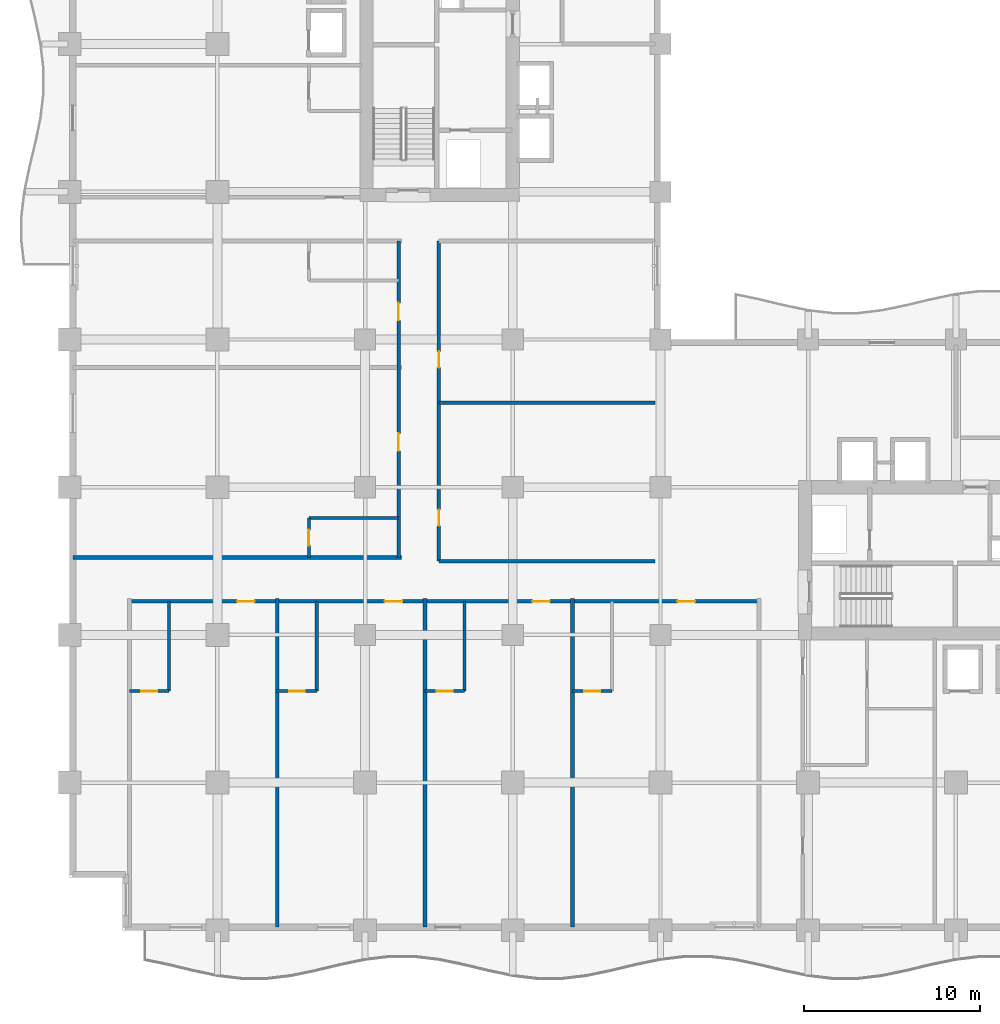
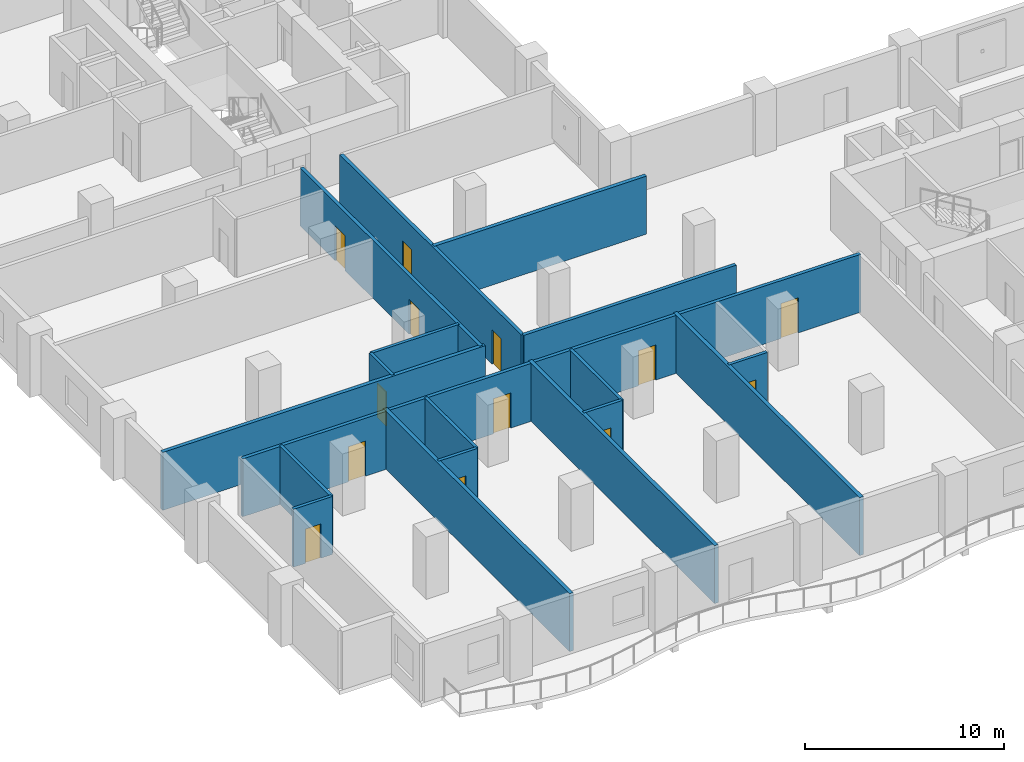
# One storey, part 4 of 18: 18 walls, 13 doors, 13 openings.
"""IFC4 building model written with IfcOpenShell, lengths in metres."""

from ifc_helpers import new_model, si_unit, direction, frame, frame_2d, origin, place, context, subcontext, project, spatial, rectangle, extrude, material, layer, layer_set, type_object, element, fill, save


model = new_model("IFC4")

# Units and contexts
model_context = context("Model", 3, precision=1e-05, world=origin(), true_north=direction((0.0, 1.0)))
body_context = subcontext(model_context, "Body", "Model", "MODEL_VIEW")
ifc_project = project(units=[si_unit("LENGTHUNIT", "METRE"), si_unit("AREAUNIT", "SQUARE_METRE"), si_unit("VOLUMEUNIT", "CUBIC_METRE"), si_unit("PLANEANGLEUNIT", "RADIAN"), si_unit("MASSUNIT", "GRAM", prefix="KILO")], contexts=[model_context])

# Site, building, storey
site_placement = place(None, origin())
site = spatial("IfcSite", under=ifc_project, at=site_placement, CompositionType="ELEMENT")
building_placement = place(site_placement, origin())
building = spatial("IfcBuilding", under=site, at=building_placement, Name="Koriwani Terraces Tower", CompositionType="ELEMENT")
storey_placement = place(building_placement, frame((0.0, 0.0, 107.60009765625)))
storey = spatial("IfcBuildingStorey", under=building, at=storey_placement, Name="L25", CompositionType="ELEMENT", Elevation=107.60009765625)

# Wall, openings, doors
ifc_material_1 = material(Name="Autoclaved Cellular Concrete Blockwork", Category="masonry")
ifc_layer_1 = layer(ifc_material_1, 0.199951171875, Name="Autoclaved Cellular Concrete Blockwork")
ifc_layer_set_1 = layer_set([ifc_layer_1], Name="Autoclaved Cellular Concrete Blockwork")
wall_type_1 = type_object("IfcWallType", Name="WALL_CORRIDOR_200", PredefinedType="PARTITIONING", material=ifc_layer_set_1)
wall_1_placement = place(storey_placement, frame((21.0, 21.0, 0.0), z_axis=(0.0, 0.0, 1.0), x_axis=(0.0, 1.0, 0.0)))
wall_1 = element("IfcWall", 1, at=wall_1_placement, inside=storey, type_object=wall_type_1, Name="L25 Interior Wall WIC2-W-L25", PredefinedType="PARTITIONING", context=body_context, shape_type="SweptSolid", body=[
    extrude(rectangle(XDim=18.199951171875, YDim=0.199951171875, at=frame_2d((9.10009765625, 0.0))), origin(), (0.0, 0.0, 1.0), 3.5498046875),
])
opening_1_placement = place(wall_1_placement, frame((2.0, 0.0, 0.0)))
opening_1 = element("IfcOpeningElement", 2, at=opening_1_placement, cuts=wall_1, Name="Opening D-06", PredefinedType="OPENING", context=body_context, shape_type="SweptSolid", body=[
    extrude(rectangle(XDim=0.919921875, YDim=2.10009765625, at=frame_2d((0.4599609375, 1.050048828125))), frame((0.0, 0.10986328125, 0.0), z_axis=(0.0, -1.0, 0.0), x_axis=(1.0, 0.0, 0.0)), (0.0, 0.0, 1.0), 0.219970703125),
])
opening_2_placement = place(wall_1_placement, frame((11.0, 0.0, 0.0)))
opening_2 = element("IfcOpeningElement", 3, at=opening_2_placement, cuts=wall_1, Name="Opening D-06", PredefinedType="OPENING", context=body_context, shape_type="SweptSolid", body=[
    extrude(rectangle(XDim=0.919921875, YDim=2.10009765625, at=frame_2d((0.4599609375, 1.050048828125))), frame((0.0, 0.10986328125, 0.0), z_axis=(0.0, -1.0, 0.0), x_axis=(1.0, 0.0, 0.0)), (0.0, 0.0, 1.0), 0.219970703125),
])
ifc_material_2 = material(Name="Architectural Oak Fire Door", Category="wood")
door_type_1 = type_object("IfcDoorType", Name="DOOR_ROOM_INT_920X2100", OperationType="NOTDEFINED", PredefinedType="DOOR", material=ifc_material_2)
door_1_placement = place(opening_1_placement, origin())
door_1 = element("IfcDoor", 4, at=door_1_placement, inside=storey, type_object=door_type_1, Name="L25 Inner Court Salon Door", OperationType="SINGLE_SWING_RIGHT", OverallHeight=2.10009765625, OverallWidth=0.919921875, PredefinedType="DOOR", context=body_context, shape_type="SweptSolid", body=[
    extrude(rectangle(XDim=0.919921875, YDim=2.10009765625, at=frame_2d((0.4599609375, 1.050048828125))), frame((0.0, 0.02490234375, 0.0), z_axis=(0.0, -1.0, 0.0), x_axis=(1.0, 0.0, 0.0)), (0.0, 0.0, 1.0), 0.050048828125),
])
fill(opening_1, door_1)
door_2_placement = place(opening_2_placement, origin())
door_2 = element("IfcDoor", 5, at=door_2_placement, inside=storey, type_object=door_type_1, Name="L25 Inner Court Media Room Door", OperationType="SINGLE_SWING_LEFT", OverallHeight=2.10009765625, OverallWidth=0.919921875, PredefinedType="DOOR", context=body_context, shape_type="SweptSolid", body=[
    extrude(rectangle(XDim=0.919921875, YDim=2.10009765625, at=frame_2d((0.4599609375, 1.050048828125))), frame((0.0, 0.02490234375, 0.0), z_axis=(0.0, -1.0, 0.0), x_axis=(1.0, 0.0, 0.0)), (0.0, 0.0, 1.0), 0.050048828125),
])
fill(opening_2, door_2)

# Wall
wall_2_placement = place(storey_placement, frame((21.0, 21.0, 0.0), z_axis=(0.0, 0.0, 1.0), x_axis=(1.0, 0.0, 0.0)))
element("IfcWall", 6, at=wall_2_placement, inside=storey, type_object=wall_type_1, Name="L25 Interior Wall WIC2-S-L25", PredefinedType="PARTITIONING", context=body_context, shape_type="SweptSolid", body=[
    extrude(rectangle(XDim=12.300048828125, YDim=0.199951171875, at=frame_2d((6.14990234375, 0.0))), origin(), (0.0, 0.0, 1.0), 3.5498046875),
])

# Wall, openings, doors
wall_3_placement = place(storey_placement, frame((3.39990234375, 18.699951171875, 0.0), z_axis=(0.0, 0.0, 1.0), x_axis=(1.0, 0.0, 0.0)))
wall_3 = element("IfcWall", 7, at=wall_3_placement, inside=storey, type_object=wall_type_1, Name="L25 Interior Wall WCOR-L25-SW-0", PredefinedType="PARTITIONING", context=body_context, shape_type="SweptSolid", body=[
    extrude(rectangle(XDim=35.800048828125, YDim=0.199951171875, at=frame_2d((17.89990234375, 0.0))), origin(), (0.0, 0.0, 1.0), 3.5498046875),
])
opening_3_placement = place(wall_3_placement, frame((6.114990234375, 0.0, 0.0)))
opening_3 = element("IfcOpeningElement", 8, at=opening_3_placement, cuts=wall_3, Name="Opening D-05", PredefinedType="OPENING", context=body_context, shape_type="SweptSolid", body=[
    extrude(rectangle(XDim=1.0, YDim=2.14990234375, at=frame_2d((0.5, 1.074951171875))), frame((0.0, 0.10986328125, 0.0), z_axis=(0.0, -1.0, 0.0), x_axis=(1.0, 0.0, 0.0)), (0.0, 0.0, 1.0), 0.219970703125),
])
opening_4_placement = place(wall_3_placement, frame((14.514892578125, 0.0, 0.0)))
opening_4 = element("IfcOpeningElement", 9, at=opening_4_placement, cuts=wall_3, Name="Opening D-05", PredefinedType="OPENING", context=body_context, shape_type="SweptSolid", body=[
    extrude(rectangle(XDim=1.0, YDim=2.14990234375, at=frame_2d((0.5, 1.074951171875))), frame((0.0, 0.10986328125, 0.0), z_axis=(0.0, -1.0, 0.0), x_axis=(1.0, 0.0, 0.0)), (0.0, 0.0, 1.0), 0.219970703125),
])
opening_5_placement = place(wall_3_placement, frame((22.9150390625, 0.0, 0.0)))
opening_5 = element("IfcOpeningElement", 10, at=opening_5_placement, cuts=wall_3, Name="Opening D-05", PredefinedType="OPENING", context=body_context, shape_type="SweptSolid", body=[
    extrude(rectangle(XDim=1.0, YDim=2.14990234375, at=frame_2d((0.5, 1.074951171875))), frame((0.0, 0.10986328125, 0.0), z_axis=(0.0, -1.0, 0.0), x_axis=(1.0, 0.0, 0.0)), (0.0, 0.0, 1.0), 0.219970703125),
])
opening_6_placement = place(wall_3_placement, frame((31.1650390625, 0.0, 0.0)))
opening_6 = element("IfcOpeningElement", 11, at=opening_6_placement, cuts=wall_3, Name="Opening D-05", PredefinedType="OPENING", context=body_context, shape_type="SweptSolid", body=[
    extrude(rectangle(XDim=1.0, YDim=2.14990234375, at=frame_2d((0.5, 1.074951171875))), frame((0.0, 0.10986328125, 0.0), z_axis=(0.0, -1.0, 0.0), x_axis=(1.0, 0.0, 0.0)), (0.0, 0.0, 1.0), 0.219970703125),
])
door_type_2 = type_object("IfcDoorType", Name="DOOR_SUITE_ENTRY_1000X2150", OperationType="NOTDEFINED", PredefinedType="DOOR", material=ifc_material_2)
door_3_placement = place(opening_3_placement, origin())
door_3 = element("IfcDoor", 12, at=door_3_placement, inside=storey, type_object=door_type_2, Name="Luxury Hotel Suite 25SW1 Entrance Door", OperationType="SINGLE_SWING_RIGHT", OverallHeight=2.14990234375, OverallWidth=1.0, PredefinedType="DOOR", context=body_context, shape_type="SweptSolid", body=[
    extrude(rectangle(XDim=1.0, YDim=2.14990234375, at=frame_2d((0.5, 1.074951171875))), frame((0.0, 0.02490234375, 0.0), z_axis=(0.0, -1.0, 0.0), x_axis=(1.0, 0.0, 0.0)), (0.0, 0.0, 1.0), 0.050048828125),
])
fill(opening_3, door_3)
door_4_placement = place(opening_4_placement, origin())
door_4 = element("IfcDoor", 13, at=door_4_placement, inside=storey, type_object=door_type_2, Name="Luxury Hotel Suite 25SW2 Entrance Door", OperationType="SINGLE_SWING_RIGHT", OverallHeight=2.14990234375, OverallWidth=1.0, PredefinedType="DOOR", context=body_context, shape_type="SweptSolid", body=[
    extrude(rectangle(XDim=1.0, YDim=2.14990234375, at=frame_2d((0.5, 1.074951171875))), frame((0.0, 0.02490234375, 0.0), z_axis=(0.0, -1.0, 0.0), x_axis=(1.0, 0.0, 0.0)), (0.0, 0.0, 1.0), 0.050048828125),
])
fill(opening_4, door_4)
door_5_placement = place(opening_5_placement, origin())
door_5 = element("IfcDoor", 14, at=door_5_placement, inside=storey, type_object=door_type_2, Name="Luxury Hotel Suite 25SW3 Entrance Door", OperationType="SINGLE_SWING_RIGHT", OverallHeight=2.14990234375, OverallWidth=1.0, PredefinedType="DOOR", context=body_context, shape_type="SweptSolid", body=[
    extrude(rectangle(XDim=1.0, YDim=2.14990234375, at=frame_2d((0.5, 1.074951171875))), frame((0.0, 0.02490234375, 0.0), z_axis=(0.0, -1.0, 0.0), x_axis=(1.0, 0.0, 0.0)), (0.0, 0.0, 1.0), 0.050048828125),
])
fill(opening_5, door_5)
door_6_placement = place(opening_6_placement, origin())
door_6 = element("IfcDoor", 15, at=door_6_placement, inside=storey, type_object=door_type_2, Name="Luxury Hotel Suite 25SW4 Entrance Door", OperationType="SINGLE_SWING_RIGHT", OverallHeight=2.14990234375, OverallWidth=1.0, PredefinedType="DOOR", context=body_context, shape_type="SweptSolid", body=[
    extrude(rectangle(XDim=1.0, YDim=2.14990234375, at=frame_2d((0.5, 1.074951171875))), frame((0.0, 0.02490234375, 0.0), z_axis=(0.0, -1.0, 0.0), x_axis=(1.0, 0.0, 0.0)), (0.0, 0.0, 1.0), 0.050048828125),
])
fill(opening_6, door_6)

wall_4_placement = place(storey_placement, frame((18.699951171875, 21.199951171875, 0.0), z_axis=(0.0, 0.0, 1.0), x_axis=(0.0, 1.0, 0.0)))
wall_4 = element("IfcWall", 16, at=wall_4_placement, inside=storey, type_object=wall_type_1, Name="L25 Interior Wall WCOR-L25-NW-0", PredefinedType="PARTITIONING", context=body_context, shape_type="SweptSolid", body=[
    extrude(rectangle(XDim=18.0, YDim=0.199951171875, at=frame_2d((9.0, 0.0))), origin(), (0.0, 0.0, 1.0), 3.5498046875),
])
opening_7_placement = place(wall_4_placement, frame((6.06494140625, 0.0, 0.0)))
opening_7 = element("IfcOpeningElement", 17, at=opening_7_placement, cuts=wall_4, Name="Opening D-05", PredefinedType="OPENING", context=body_context, shape_type="SweptSolid", body=[
    extrude(rectangle(XDim=1.0, YDim=2.14990234375, at=frame_2d((0.5, 1.074951171875))), frame((0.0, 0.10986328125, 0.0), z_axis=(0.0, -1.0, 0.0), x_axis=(1.0, 0.0, 0.0)), (0.0, 0.0, 1.0), 0.219970703125),
])
opening_8_placement = place(wall_4_placement, frame((13.485107421875, 0.0, 0.0)))
opening_8 = element("IfcOpeningElement", 18, at=opening_8_placement, cuts=wall_4, Name="Opening D-05", PredefinedType="OPENING", context=body_context, shape_type="SweptSolid", body=[
    extrude(rectangle(XDim=1.0, YDim=2.14990234375, at=frame_2d((0.5, 1.074951171875))), frame((0.0, 0.10986328125, 0.0), z_axis=(0.0, -1.0, 0.0), x_axis=(1.0, 0.0, 0.0)), (0.0, 0.0, 1.0), 0.219970703125),
])
door_7_placement = place(opening_7_placement, origin())
door_7 = element("IfcDoor", 19, at=door_7_placement, inside=storey, type_object=door_type_2, Name="Luxury Hotel Suite 25NW1 Entrance Door", OperationType="SINGLE_SWING_RIGHT", OverallHeight=2.14990234375, OverallWidth=1.0, PredefinedType="DOOR", context=body_context, shape_type="SweptSolid", body=[
    extrude(rectangle(XDim=1.0, YDim=2.14990234375, at=frame_2d((0.5, 1.074951171875))), frame((0.0, 0.02490234375, 0.0), z_axis=(0.0, -1.0, 0.0), x_axis=(1.0, 0.0, 0.0)), (0.0, 0.0, 1.0), 0.050048828125),
])
fill(opening_7, door_7)
door_8_placement = place(opening_8_placement, origin())
door_8 = element("IfcDoor", 20, at=door_8_placement, inside=storey, type_object=door_type_2, Name="Luxury Hotel Suite 25NW2 Entrance Door", OperationType="SINGLE_SWING_RIGHT", OverallHeight=2.14990234375, OverallWidth=1.0, PredefinedType="DOOR", context=body_context, shape_type="SweptSolid", body=[
    extrude(rectangle(XDim=1.0, YDim=2.14990234375, at=frame_2d((0.5, 1.074951171875))), frame((0.0, 0.02490234375, 0.0), z_axis=(0.0, -1.0, 0.0), x_axis=(1.0, 0.0, 0.0)), (0.0, 0.0, 1.0), 0.050048828125),
])
fill(opening_8, door_8)

# Walls
ifc_layer_2 = layer(ifc_material_1, 0.219970703125, Name="Autoclaved Cellular Concrete Blockwork")
ifc_layer_set_2 = layer_set([ifc_layer_2], Name="Autoclaved Cellular Concrete Blockwork")
wall_type_2 = type_object("IfcWallType", Name="WALL_DEMISING_220", PredefinedType="PARTITIONING", material=ifc_layer_set_2)
wall_5_placement = place(storey_placement, frame((21.0, 30.0, 0.0), z_axis=(0.0, 0.0, 1.0), x_axis=(1.0, 0.0, 0.0)))
element("IfcWall", 21, at=wall_5_placement, inside=storey, type_object=wall_type_2, Name="L25 Interior Wall WIC2-M-L25", PredefinedType="PARTITIONING", context=body_context, shape_type="SweptSolid", body=[
    extrude(rectangle(XDim=12.300048828125, YDim=0.219970703125, at=frame_2d((6.14990234375, 0.0))), origin(), (0.0, 0.0, 1.0), 3.5498046875),
])
for number, where, z_axis, x_axis, name in (
    (22, (11.800048828125, 0.199951171875, 0.0), (0.0, 0.0, 1.0), (0.0, 1.0, 0.0), "L25 Interior Wall WDEM-L25-SW-1"),
    (23, (20.199951171875, 0.199951171875, 0.0), (0.0, 0.0, 1.0), (0.0, 1.0, 0.0), "L25 Interior Wall WDEM-L25-SW-2"),
    (24, (28.60009765625, 0.199951171875, 0.0), (0.0, 0.0, 1.0), (0.0, 1.0, 0.0), "L25 Interior Wall WDEM-L25-SW-3"),
    (25, (0.199951171875, 21.199951171875, 0.0), (0.0, 0.0, 1.0), (1.0, 0.0, 0.0), "L25 Interior Wall WDEM-L25-NW-0"),
):
    element("IfcWall", number, at=place(storey_placement, frame(where, z_axis=z_axis, x_axis=x_axis)), inside=storey, type_object=wall_type_2, Name=name, PredefinedType="PARTITIONING", context=body_context, shape_type="SweptSolid", body=[
        extrude(rectangle(XDim=18.679931640625, YDim=0.219970703125, at=frame_2d((9.33984375, 0.0))), origin(), (0.0, 0.0, 1.0), 3.5498046875),
    ])

# Wall, opening, door
ifc_material_3 = material(Name="Fire-Rated Acoustic Gypsum Partition", Category="masonry")
ifc_layer_3 = layer(ifc_material_3, 0.179931640625, Name="Fire-Rated Acoustic Gypsum Partition")
ifc_layer_set_3 = layer_set([ifc_layer_3], Name="Fire-Rated Acoustic Gypsum Partition")
wall_type_3 = type_object("IfcWallType", Name="WALL_PLUMBING_180", PredefinedType="PLUMBINGWALL", material=ifc_layer_set_3)
wall_6_placement = place(storey_placement, frame((3.39990234375, 13.60009765625, 0.0), z_axis=(0.0, 0.0, 1.0), x_axis=(1.0, 0.0, 0.0)))
wall_6 = element("IfcWall", 26, at=wall_6_placement, inside=storey, type_object=wall_type_3, Name="L25 Interior Wall WBTH1-L25-SW-0", PredefinedType="PLUMBINGWALL", context=body_context, shape_type="SweptSolid", body=[
    extrude(rectangle(XDim=2.25, YDim=0.179931640625, at=frame_2d((1.125, 0.0))), origin(), (0.0, 0.0, 1.0), 3.5498046875),
])
opening_9_placement = place(wall_6_placement, frame((0.675048828125, 0.0, 0.0)))
opening_9 = element("IfcOpeningElement", 27, at=opening_9_placement, cuts=wall_6, Name="Opening D-07", PredefinedType="OPENING", context=body_context, shape_type="SweptSolid", body=[
    extrude(rectangle(XDim=0.89990234375, YDim=2.10009765625, at=frame_2d((0.449951171875, 1.050048828125))), frame((0.0, 0.10009765625, 0.0), z_axis=(0.0, -1.0, 0.0), x_axis=(1.0, 0.0, 0.0)), (0.0, 0.0, 1.0), 0.199951171875),
])
door_type_3 = type_object("IfcDoorType", Name="DOOR_BATH_INT_900X2100", OperationType="NOTDEFINED", PredefinedType="DOOR", material=ifc_material_2)
door_9_placement = place(opening_9_placement, origin())
door_9 = element("IfcDoor", 28, at=door_9_placement, inside=storey, type_object=door_type_3, Name="En-Suite Bathroom 25SW1 Door", OperationType="SINGLE_SWING_LEFT", OverallHeight=2.10009765625, OverallWidth=0.89990234375, PredefinedType="DOOR", context=body_context, shape_type="SweptSolid", body=[
    extrude(rectangle(XDim=0.89990234375, YDim=2.10009765625, at=frame_2d((0.449951171875, 1.050048828125))), frame((0.0, 0.02490234375, 0.0), z_axis=(0.0, -1.0, 0.0), x_axis=(1.0, 0.0, 0.0)), (0.0, 0.0, 1.0), 0.050048828125),
])
fill(opening_9, door_9)

# Wall
wall_7_placement = place(storey_placement, frame((5.64990234375, 13.60009765625, 0.0), z_axis=(0.0, 0.0, 1.0), x_axis=(0.0, 1.0, 0.0)))
element("IfcWall", 29, at=wall_7_placement, inside=storey, type_object=wall_type_3, Name="L25 Interior Wall WBTH2-L25-SW-0", PredefinedType="PLUMBINGWALL", context=body_context, shape_type="SweptSolid", body=[
    extrude(rectangle(XDim=5.099853515625, YDim=0.179931640625, at=frame_2d((2.5498046875, 0.0))), origin(), (0.0, 0.0, 1.0), 3.5498046875),
])

# Wall, opening, door
wall_8_placement = place(storey_placement, frame((11.800048828125, 13.60009765625, 0.0), z_axis=(0.0, 0.0, 1.0), x_axis=(1.0, 0.0, 0.0)))
wall_8 = element("IfcWall", 30, at=wall_8_placement, inside=storey, type_object=wall_type_3, Name="L25 Interior Wall WBTH1-L25-SW-1", PredefinedType="PLUMBINGWALL", context=body_context, shape_type="SweptSolid", body=[
    extrude(rectangle(XDim=2.25, YDim=0.179931640625, at=frame_2d((1.125, 0.0))), origin(), (0.0, 0.0, 1.0), 3.5498046875),
])
opening_10_placement = place(wall_8_placement, frame((0.675048828125, 0.0, 0.0)))
opening_10 = element("IfcOpeningElement", 31, at=opening_10_placement, cuts=wall_8, Name="Opening D-07", PredefinedType="OPENING", context=body_context, shape_type="SweptSolid", body=[
    extrude(rectangle(XDim=0.89990234375, YDim=2.10009765625, at=frame_2d((0.449951171875, 1.050048828125))), frame((0.0, 0.10009765625, 0.0), z_axis=(0.0, -1.0, 0.0), x_axis=(1.0, 0.0, 0.0)), (0.0, 0.0, 1.0), 0.199951171875),
])
door_10_placement = place(opening_10_placement, origin())
door_10 = element("IfcDoor", 32, at=door_10_placement, inside=storey, type_object=door_type_3, Name="En-Suite Bathroom 25SW2 Door", OperationType="SINGLE_SWING_LEFT", OverallHeight=2.10009765625, OverallWidth=0.89990234375, PredefinedType="DOOR", context=body_context, shape_type="SweptSolid", body=[
    extrude(rectangle(XDim=0.89990234375, YDim=2.10009765625, at=frame_2d((0.449951171875, 1.050048828125))), frame((0.0, 0.02490234375, 0.0), z_axis=(0.0, -1.0, 0.0), x_axis=(1.0, 0.0, 0.0)), (0.0, 0.0, 1.0), 0.050048828125),
])
fill(opening_10, door_10)

# Wall
wall_9_placement = place(storey_placement, frame((14.050048828125, 13.60009765625, 0.0), z_axis=(0.0, 0.0, 1.0), x_axis=(0.0, 1.0, 0.0)))
element("IfcWall", 33, at=wall_9_placement, inside=storey, type_object=wall_type_3, Name="L25 Interior Wall WBTH2-L25-SW-1", PredefinedType="PLUMBINGWALL", context=body_context, shape_type="SweptSolid", body=[
    extrude(rectangle(XDim=5.099853515625, YDim=0.179931640625, at=frame_2d((2.5498046875, 0.0))), origin(), (0.0, 0.0, 1.0), 3.5498046875),
])

# Wall, opening, door
wall_10_placement = place(storey_placement, frame((20.199951171875, 13.60009765625, 0.0), z_axis=(0.0, 0.0, 1.0), x_axis=(1.0, 0.0, 0.0)))
wall_10 = element("IfcWall", 34, at=wall_10_placement, inside=storey, type_object=wall_type_3, Name="L25 Interior Wall WBTH1-L25-SW-2", PredefinedType="PLUMBINGWALL", context=body_context, shape_type="SweptSolid", body=[
    extrude(rectangle(XDim=2.25, YDim=0.179931640625, at=frame_2d((1.125, 0.0))), origin(), (0.0, 0.0, 1.0), 3.5498046875),
])
opening_11_placement = place(wall_10_placement, frame((0.675048828125, 0.0, 0.0)))
opening_11 = element("IfcOpeningElement", 35, at=opening_11_placement, cuts=wall_10, Name="Opening D-07", PredefinedType="OPENING", context=body_context, shape_type="SweptSolid", body=[
    extrude(rectangle(XDim=0.89990234375, YDim=2.10009765625, at=frame_2d((0.449951171875, 1.050048828125))), frame((0.0, 0.10009765625, 0.0), z_axis=(0.0, -1.0, 0.0), x_axis=(1.0, 0.0, 0.0)), (0.0, 0.0, 1.0), 0.199951171875),
])
door_11_placement = place(opening_11_placement, origin())
door_11 = element("IfcDoor", 36, at=door_11_placement, inside=storey, type_object=door_type_3, Name="En-Suite Bathroom 25SW3 Door", OperationType="SINGLE_SWING_LEFT", OverallHeight=2.10009765625, OverallWidth=0.89990234375, PredefinedType="DOOR", context=body_context, shape_type="SweptSolid", body=[
    extrude(rectangle(XDim=0.89990234375, YDim=2.10009765625, at=frame_2d((0.449951171875, 1.050048828125))), frame((0.0, 0.02490234375, 0.0), z_axis=(0.0, -1.0, 0.0), x_axis=(1.0, 0.0, 0.0)), (0.0, 0.0, 1.0), 0.050048828125),
])
fill(opening_11, door_11)

# Wall
wall_11_placement = place(storey_placement, frame((22.449951171875, 13.60009765625, 0.0), z_axis=(0.0, 0.0, 1.0), x_axis=(0.0, 1.0, 0.0)))
element("IfcWall", 37, at=wall_11_placement, inside=storey, type_object=wall_type_3, Name="L25 Interior Wall WBTH2-L25-SW-2", PredefinedType="PLUMBINGWALL", context=body_context, shape_type="SweptSolid", body=[
    extrude(rectangle(XDim=5.099853515625, YDim=0.179931640625, at=frame_2d((2.5498046875, 0.0))), origin(), (0.0, 0.0, 1.0), 3.5498046875),
])

# Wall, opening, door
wall_12_placement = place(storey_placement, frame((28.60009765625, 13.60009765625, 0.0), z_axis=(0.0, 0.0, 1.0), x_axis=(1.0, 0.0, 0.0)))
wall_12 = element("IfcWall", 38, at=wall_12_placement, inside=storey, type_object=wall_type_3, Name="L25 Interior Wall WBTH1-L25-SW-3", PredefinedType="PLUMBINGWALL", context=body_context, shape_type="SweptSolid", body=[
    extrude(rectangle(XDim=2.25, YDim=0.179931640625, at=frame_2d((1.125, 0.0))), origin(), (0.0, 0.0, 1.0), 3.5498046875),
])
opening_12_placement = place(wall_12_placement, frame((0.675048828125, 0.0, 0.0)))
opening_12 = element("IfcOpeningElement", 39, at=opening_12_placement, cuts=wall_12, Name="Opening D-07", PredefinedType="OPENING", context=body_context, shape_type="SweptSolid", body=[
    extrude(rectangle(XDim=0.89990234375, YDim=2.10009765625, at=frame_2d((0.449951171875, 1.050048828125))), frame((0.0, 0.10009765625, 0.0), z_axis=(0.0, -1.0, 0.0), x_axis=(1.0, 0.0, 0.0)), (0.0, 0.0, 1.0), 0.199951171875),
])
door_12_placement = place(opening_12_placement, origin())
door_12 = element("IfcDoor", 40, at=door_12_placement, inside=storey, type_object=door_type_3, Name="En-Suite Bathroom 25SW4 Door", OperationType="SINGLE_SWING_LEFT", OverallHeight=2.10009765625, OverallWidth=0.89990234375, PredefinedType="DOOR", context=body_context, shape_type="SweptSolid", body=[
    extrude(rectangle(XDim=0.89990234375, YDim=2.10009765625, at=frame_2d((0.449951171875, 1.050048828125))), frame((0.0, 0.02490234375, 0.0), z_axis=(0.0, -1.0, 0.0), x_axis=(1.0, 0.0, 0.0)), (0.0, 0.0, 1.0), 0.050048828125),
])
fill(opening_12, door_12)

wall_13_placement = place(storey_placement, frame((13.60009765625, 21.199951171875, 0.0), z_axis=(0.0, 0.0, 1.0), x_axis=(0.0, 1.0, 0.0)))
wall_13 = element("IfcWall", 41, at=wall_13_placement, inside=storey, type_object=wall_type_3, Name="L25 Interior Wall WBTH1-L25-NW-0", PredefinedType="PLUMBINGWALL", context=body_context, shape_type="SweptSolid", body=[
    extrude(rectangle(XDim=2.25, YDim=0.179931640625, at=frame_2d((1.125, 0.0))), origin(), (0.0, 0.0, 1.0), 3.5498046875),
])
opening_13_placement = place(wall_13_placement, frame((0.675048828125, 0.0, 0.0)))
opening_13 = element("IfcOpeningElement", 42, at=opening_13_placement, cuts=wall_13, Name="Opening D-07", PredefinedType="OPENING", context=body_context, shape_type="SweptSolid", body=[
    extrude(rectangle(XDim=0.89990234375, YDim=2.10009765625, at=frame_2d((0.449951171875, 1.050048828125))), frame((0.0, 0.10009765625, 0.0), z_axis=(0.0, -1.0, 0.0), x_axis=(1.0, 0.0, 0.0)), (0.0, 0.0, 1.0), 0.199951171875),
])
door_13_placement = place(opening_13_placement, origin())
door_13 = element("IfcDoor", 43, at=door_13_placement, inside=storey, type_object=door_type_3, Name="En-Suite Bathroom 25NW1 Door", OperationType="SINGLE_SWING_LEFT", OverallHeight=2.10009765625, OverallWidth=0.89990234375, PredefinedType="DOOR", context=body_context, shape_type="SweptSolid", body=[
    extrude(rectangle(XDim=0.89990234375, YDim=2.10009765625, at=frame_2d((0.449951171875, 1.050048828125))), frame((0.0, 0.02490234375, 0.0), z_axis=(0.0, -1.0, 0.0), x_axis=(1.0, 0.0, 0.0)), (0.0, 0.0, 1.0), 0.050048828125),
])
fill(opening_13, door_13)

# Wall
wall_14_placement = place(storey_placement, frame((13.60009765625, 23.449951171875, 0.0), z_axis=(0.0, 0.0, 1.0), x_axis=(1.0, 0.0, 0.0)))
element("IfcWall", 44, at=wall_14_placement, inside=storey, type_object=wall_type_3, Name="L25 Interior Wall WBTH2-L25-NW-0", PredefinedType="PLUMBINGWALL", context=body_context, shape_type="SweptSolid", body=[
    extrude(rectangle(XDim=5.099853515625, YDim=0.179931640625, at=frame_2d((2.5498046875, 0.0))), origin(), (0.0, 0.0, 1.0), 3.5498046875),
])

save(model, "model.ifc")
